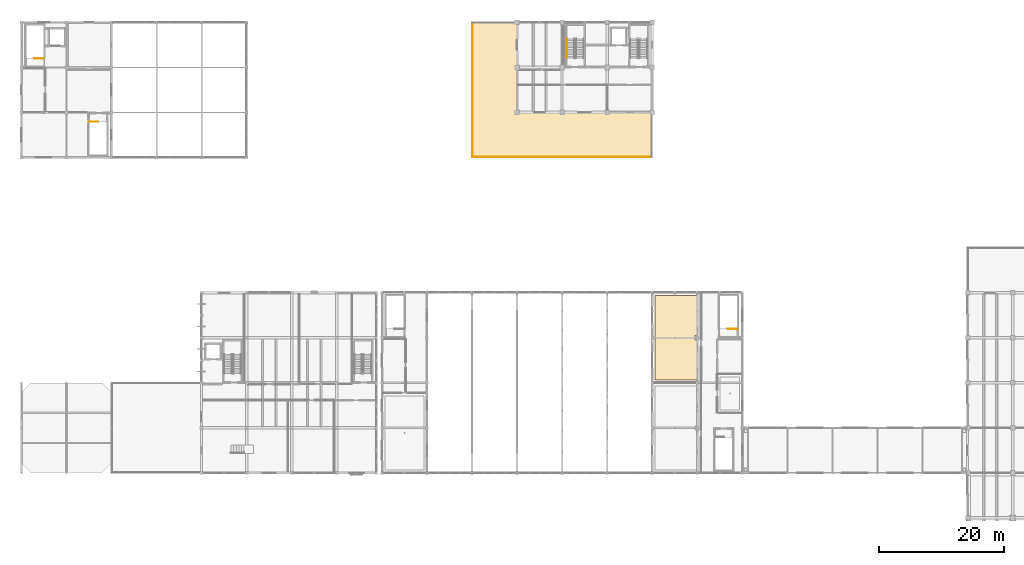
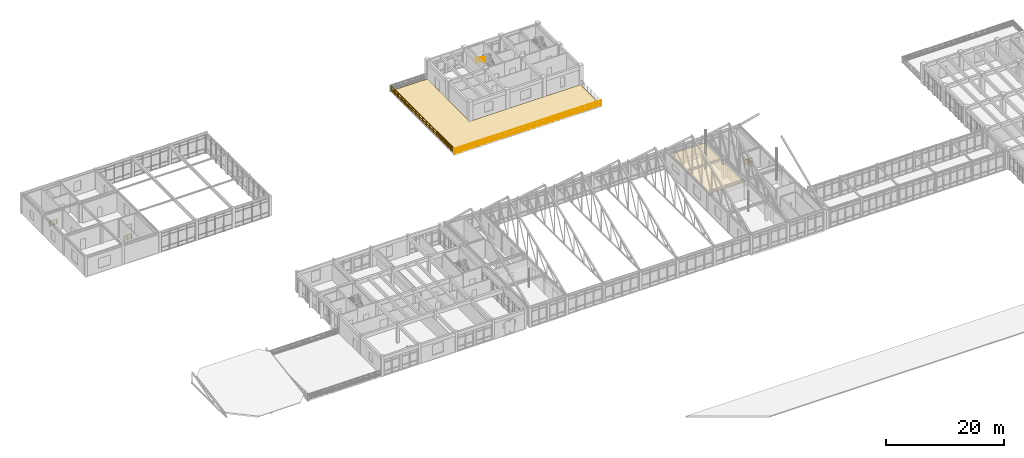
# One storey, part 133 of 136: 6 railings, 2 coverings.
"""IFC4 building model written with IfcOpenShell, lengths in metres."""

import ifcopenshell
import ifcopenshell.guid

model = None  # the IFC model being written
_history = None  # IfcOwnerHistory: only IFC2X3 demands one
_inside = {}  # id of a spatial element -> (the spatial element, [elements in it])
_under = {}  # id of a project, library or spatial element -> (it, [spatial elements below it])
_declared = {}  # id of a project -> (the project, [libraries it declares])
_typed = {}  # id of a type object -> (the type object, [elements of that type])
_made_of = {}  # id of a material, layer set ... -> (it, [elements and type objects made of it])


def new_model(schema):
    """Start an empty IFC model of exactly this schema.

    Asked for "IFC4X3", IfcOpenShell would pick the latest addendum, in which some entities
    have other attributes; the version numbers below select the first issue.
    IFC2X3 requires an IfcOwnerHistory on every rooted entity: one is made here for all.
    """
    global model, _history
    if schema == "IFC4X3":
        model = ifcopenshell.file(schema_version=(4, 3, 0, 0))
    else:
        model = ifcopenshell.file(schema=schema)
    _inside.clear()
    _under.clear()
    _declared.clear()
    _typed.clear()
    _made_of.clear()
    _history = None
    if model.schema == "IFC2X3":
        org = make("IfcOrganization", Name="unknown")
        user = make(
            "IfcPersonAndOrganization",
            ThePerson=make("IfcPerson", FamilyName="unknown"),
            TheOrganization=org,
        )
        app = make(
            "IfcApplication",
            ApplicationDeveloper=org,
            Version="unknown",
            ApplicationFullName="unknown",
            ApplicationIdentifier="unknown",
        )
        _history = make(
            "IfcOwnerHistory",
            OwningUser=user,
            OwningApplication=app,
            ChangeAction="ADDED",
            CreationDate=0,
        )
    return model


def make(cls, **values):
    """One entity of the class cls with the attributes given. An attribute that is None is left unset."""
    return model.create_entity(
        cls, **{name: value for name, value in values.items() if value is not None}
    )


def rooted(cls, **values):
    """An entity with a GlobalId (a new one), such as an element, a storey or a relation."""
    return make(cls, GlobalId=ifcopenshell.guid.new(), OwnerHistory=_history, **values)


def si_unit(unit_type, name, prefix=None):
    """IfcSIUnit, for example si_unit("LENGTHUNIT", "METRE", prefix="MILLI")."""
    return make("IfcSIUnit", UnitType=unit_type, Prefix=prefix, Name=name)


def assignment(units):
    """IfcUnitAssignment: the units of a project."""
    return None if units is None else make("IfcUnitAssignment", Units=units)


def point(xyz):
    """IfcCartesianPoint."""
    return None if xyz is None else make("IfcCartesianPoint", Coordinates=xyz)


def direction(xyz):
    """IfcDirection."""
    return None if xyz is None else make("IfcDirection", DirectionRatios=xyz)


def frame(location, z_axis=None, x_axis=None):
    """IfcAxis2Placement3D, a coordinate frame: its origin and axes. An axis left out is left unset."""
    return make(
        "IfcAxis2Placement3D",
        Location=point(location),
        Axis=direction(z_axis),
        RefDirection=direction(x_axis),
    )


def frame_2d(location, x_axis=None):
    """IfcAxis2Placement2D, a coordinate frame in the plane: its origin and x axis."""
    return make(
        "IfcAxis2Placement2D", Location=point(location), RefDirection=direction(x_axis)
    )


def origin():
    """The frame at (0, 0, 0) with its axes left unset."""
    return frame((0.0, 0.0, 0.0))


def origin_2d():
    """The frame at (0, 0) in the plane with its x axis left unset."""
    return frame_2d((0.0, 0.0))


def place(relative_to, where):
    """IfcLocalPlacement: puts the frame where relative to a parent placement (None: the world)."""
    return make(
        "IfcLocalPlacement", PlacementRelTo=relative_to, RelativePlacement=where
    )


def context(
    kind, dimensions, precision=None, world=None, true_north=None, identifier=None
):
    """IfcGeometricRepresentationContext, for example the 3D "Model" context."""
    return make(
        "IfcGeometricRepresentationContext",
        ContextIdentifier=identifier,
        ContextType=kind,
        CoordinateSpaceDimension=dimensions,
        Precision=precision,
        WorldCoordinateSystem=world,
        TrueNorth=true_north,
    )


def subcontext(parent, identifier, kind, view, scale=None):
    """IfcGeometricRepresentationSubContext, for example "Body" below "Model"."""
    return make(
        "IfcGeometricRepresentationSubContext",
        ContextIdentifier=identifier,
        ContextType=kind,
        ParentContext=parent,
        TargetScale=scale,
        TargetView=view,
    )


def project(units=None, contexts=None):
    """IfcProject with its units and contexts."""
    return rooted(
        "IfcProject",
        Name="project",
        RepresentationContexts=contexts,
        UnitsInContext=assignment(units),
    )


def spatial(cls, under=None, at=None, **own):
    """A site, building, storey or space (cls), placed at a placement, below another one or the project."""
    s = rooted(cls, ObjectPlacement=at, **own)
    if under is not None:
        _under.setdefault(under.id(), (under, []))[1].append(s)
    return s


def polyline(points):
    """IfcPolyline through the points."""
    return make("IfcPolyline", Points=[point(p) for p in points])


def profile(cls, at=None, kind="AREA", **sizes):
    """A parametric profile (cls). Its sizes go by their IFC names, for example OverallWidth=200.0."""
    return make(cls, ProfileType=kind, Position=at, **sizes)


def circle(**sizes):
    """IfcCircleProfileDef."""
    return profile("IfcCircleProfileDef", **sizes)


def outline(outer, holes=None, kind="AREA"):
    """IfcArbitraryClosedProfileDef: a profile drawn as a closed curve; with holes, ...WithVoids."""
    if holes is None:
        return make("IfcArbitraryClosedProfileDef", ProfileType=kind, OuterCurve=outer)
    return make(
        "IfcArbitraryProfileDefWithVoids",
        ProfileType=kind,
        OuterCurve=outer,
        InnerCurves=holes,
    )


def extrude(swept, where, along, depth):
    """IfcExtrudedAreaSolid: the profile swept, set in the frame where, extruded along a direction by depth."""
    return make(
        "IfcExtrudedAreaSolid",
        SweptArea=swept,
        Position=where,
        ExtrudedDirection=direction(along),
        Depth=depth,
    )


def shape(context_of_items, identifier, shape_type, items):
    """IfcShapeRepresentation: the items that make up one representation, for example the "Body"."""
    return make(
        "IfcShapeRepresentation",
        ContextOfItems=context_of_items,
        RepresentationIdentifier=identifier,
        RepresentationType=shape_type,
        Items=items,
    )


def material(Name=None, Category=None):
    """IfcMaterial."""
    return make("IfcMaterial", Name=Name, Category=Category)


def layer(
    of_material, thickness, ventilated=None, Name=None, Category=None, Priority=None
):
    """IfcMaterialLayer: one layer of a wall or slab, of a material (None: an air gap)."""
    return make(
        "IfcMaterialLayer",
        Material=of_material,
        LayerThickness=thickness,
        IsVentilated=ventilated,
        Name=Name,
        Category=Category,
        Priority=Priority,
    )


def layer_set(layers, Name=None):
    """IfcMaterialLayerSet."""
    return make("IfcMaterialLayerSet", MaterialLayers=layers, LayerSetName=Name)


def made_of(thing, what):
    """Note that an element or type object is made of a material, layer set ...; save() writes the relation."""
    if what is not None:
        _made_of.setdefault(what.id(), (what, []))[1].append(thing)
    return thing


def type_object(cls, material=None, **own):
    """A type object (cls), such as IfcWallType, which elements share."""
    return made_of(rooted(cls, **own), material)


def element(
    cls,
    number,
    at=None,
    inside=None,
    cuts=None,
    type_object=None,
    material=None,
    context=None,
    identifier="Body",
    shape_type=None,
    held_by="IfcProductDefinitionShape",
    body=None,
    shapes=None,
    **own,
):
    """One element of the class cls, such as IfcWall. Its Tag is "e" and its number.

    at: its placement. inside: the storey or other place that contains it. cuts: it is an
    opening in that element (IfcRelVoidsElement). A single representation is given by context,
    identifier, shape_type and body (its items); several are given by shapes. held_by: the class
    of the entity that holds the representations. save() writes the other relations.
    """
    e = rooted(cls, Tag="e%d" % number, ObjectPlacement=at, **own)
    if body is not None:
        shapes = [shape(context, identifier, shape_type, body)]
    if shapes is not None:
        e.Representation = make(held_by, Representations=shapes)
    if inside is not None:
        _inside.setdefault(inside.id(), (inside, []))[1].append(e)
    if cuts is not None:
        rooted(
            "IfcRelVoidsElement", RelatingBuildingElement=cuts, RelatedOpeningElement=e
        )
    if type_object is not None:
        _typed.setdefault(type_object.id(), (type_object, []))[1].append(e)
    return made_of(e, material)


def aggregate(whole, parts):
    """IfcRelAggregates: a whole, such as a stair, and the parts it consists of."""
    return rooted("IfcRelAggregates", RelatingObject=whole, RelatedObjects=parts)


def save(model, path):
    """Write the relations noted so far, then the file.

    IfcRelAggregates (storeys below a building ...), IfcRelContainedInSpatialStructure (elements
    in a storey), IfcRelDefinesByType, IfcRelAssociatesMaterial and IfcRelDeclares: one each for
    every whole, place, type object, material and project.
    """
    for whole, parts in _under.values():
        aggregate(whole, parts)
    for where, things in _inside.values():
        rooted(
            "IfcRelContainedInSpatialStructure",
            RelatedElements=things,
            RelatingStructure=where,
        )
    for kind, things in _typed.values():
        rooted("IfcRelDefinesByType", RelatedObjects=things, RelatingType=kind)
    for what, things in _made_of.values():
        rooted("IfcRelAssociatesMaterial", RelatedObjects=things, RelatingMaterial=what)
    for by, libraries in _declared.values():
        rooted("IfcRelDeclares", RelatingContext=by, RelatedDefinitions=libraries)
    model.write(path)


model = new_model("IFC4")

# Units and contexts
model_context = context("Model", 3, precision=1e-05, world=origin(), true_north=direction((0.0, 1.0)))
body_context = subcontext(model_context, "Body", "Model", "MODEL_VIEW")
ifc_project = project(units=[si_unit("LENGTHUNIT", "METRE"), si_unit("AREAUNIT", "SQUARE_METRE"), si_unit("VOLUMEUNIT", "CUBIC_METRE"), si_unit("PLANEANGLEUNIT", "RADIAN"), si_unit("MASSUNIT", "GRAM", prefix="KILO")], contexts=[model_context])

# Site, building, storey
site_placement = place(None, origin())
site = spatial("IfcSite", under=ifc_project, at=site_placement, CompositionType="ELEMENT")
building_placement = place(site_placement, origin())
building = spatial("IfcBuilding", under=site, at=building_placement, Name="Koriwan Promenade Central Fire Station", CompositionType="ELEMENT")
storey_placement = place(building_placement, frame((0.0, 0.0, 5.39990234375)))
storey = spatial("IfcBuildingStorey", under=building, at=storey_placement, Name="L01", CompositionType="ELEMENT", Elevation=5.39990234375)

# Coverings
ifc_material_1 = material(Name="Mineral-fibre acoustic ceiling tile on suspended grid", Category="ceiling")
ifc_layer_1 = layer(ifc_material_1, 0.02490234375, Name="Mineral-fibre acoustic ceiling tile on suspended grid")
ifc_layer_set_1 = layer_set([ifc_layer_1], Name="Mineral-fibre acoustic ceiling tile on suspended grid")
covering_type_1 = type_object("IfcCoveringType", Name="AcousticCeiling_Tile", PredefinedType="CEILING", material=ifc_layer_set_1)
covering_1_placement = place(storey_placement, frame((0.0, 0.0, 3.080078125)))
element("IfcCovering", 1, at=covering_1_placement, inside=storey, type_object=covering_type_1, Name="Hazmat Telemetry Classroom suspended acoustic ceiling", PredefinedType="CEILING", context=body_context, shape_type="SweptSolid", body=[
    extrude(outline(polyline([(108.1298828125, 71.530029296875), (108.1298828125, 65.125), (107.675048828125, 65.125), (107.675048828125, 64.47509765625), (108.1298828125, 64.47509765625), (108.1298828125, 58.070068359375), (101.27001953125, 58.070068359375), (101.27001953125, 71.530029296875), (108.1298828125, 71.530029296875)])), origin(), (0.0, 0.0, 1.0), 0.02490234375),
])
ifc_material_2 = material(Name="Waterproofed xerophytic roof-garden drainage build-up", Category="membrane")
ifc_layer_2 = layer(ifc_material_2, 0.06005859375, Name="Waterproofed xerophytic roof-garden drainage build-up")
ifc_layer_set_2 = layer_set([ifc_layer_2], Name="Waterproofed xerophytic roof-garden drainage build-up")
covering_type_2 = type_object("IfcCoveringType", Name="RoofCovering_Garden", PredefinedType="ROOFING", material=ifc_layer_set_2)
covering_2_placement = place(storey_placement, origin())
element("IfcCovering", 2, at=covering_2_placement, inside=storey, type_object=covering_type_2, Name="Drill Yard Training Deck waterproofed garden build-up", PredefinedType="ROOFING", context=body_context, shape_type="SweptSolid", body=[
    extrude(outline(polyline([(100.679931640625, 100.679931640625), (100.679931640625, 93.719970703125), (72.1201171875, 93.719970703125), (72.1201171875, 115.080078125), (79.080078125, 115.080078125), (79.080078125, 100.679931640625), (100.679931640625, 100.679931640625)])), origin(), (0.0, 0.0, 1.0), 0.06005859375),
])

# Railings
ifc_material_3 = material(Name="Steel ASTM A500 Grade C", Category="steel")
ifc_layer_3 = layer(ifc_material_3, 0.050048828125, Name="Steel ASTM A500 Grade C")
ifc_layer_set_3 = layer_set([ifc_layer_3], Name="Steel ASTM A500 Grade C")
railing_type_1 = type_object("IfcRailingType", Name="StairGuard_1100", PredefinedType="BALUSTRADE", material=ifc_layer_set_3)
railing_1_placement = place(storey_placement, frame((114.35009765625, 66.219970703125, 0.0)))
element("IfcRailing", 3, at=railing_1_placement, inside=storey, type_object=railing_type_1, Name="L01 ST02 top well guard 1", PredefinedType="BALUSTRADE", context=body_context, shape_type="SweptSolid", body=[
    extrude(circle(Radius=0.02392578125, at=origin_2d()), frame((0.0, 0.0, 1.076171875), z_axis=(-1.0, 0.0, 0.0), x_axis=(0.0, -1.0, 0.0)), (0.0, 0.0, 1.0), 1.47021484375),
    extrude(circle(Radius=0.012939453125, at=origin_2d()), frame((0.0, 0.0, 0.572021484375), z_axis=(-1.0, 0.0, 0.0), x_axis=(0.0, -1.0, 0.0)), (0.0, 0.0, 1.0), 1.47021484375),
    extrude(circle(Radius=0.012939453125, at=origin_2d()), frame((0.0, 0.0, 0.154052734375), z_axis=(-1.0, 0.0, 0.0), x_axis=(0.0, -1.0, 0.0)), (0.0, 0.0, 1.0), 1.47021484375),
    extrude(circle(Radius=0.02099609375, at=origin_2d()), origin(), (0.0, 0.0, 1.0), 1.052001953125),
    extrude(circle(Radius=0.02099609375, at=origin_2d()), frame((-0.735107421875, 0.0, 0.0)), (0.0, 0.0, 1.0), 1.052001953125),
    extrude(circle(Radius=0.02099609375, at=origin_2d()), frame((-1.47021484375, 0.0, 0.0)), (0.0, 0.0, 1.0), 1.052001953125),
])
railing_2_placement = place(storey_placement, frame((3.550048828125, 109.419921875, 0.0)))
element("IfcRailing", 4, at=railing_2_placement, inside=storey, type_object=railing_type_1, Name="L01 ST32 top well guard 1", PredefinedType="BALUSTRADE", context=body_context, shape_type="SweptSolid", body=[
    extrude(circle(Radius=0.02392578125, at=origin_2d()), frame((0.0, 0.0, 1.076171875), z_axis=(-1.0, 0.0, 0.0), x_axis=(0.0, -1.0, 0.0)), (0.0, 0.0, 1.0), 1.469970703125),
    extrude(circle(Radius=0.012939453125, at=origin_2d()), frame((0.0, 0.0, 0.572021484375), z_axis=(-1.0, 0.0, 0.0), x_axis=(0.0, -1.0, 0.0)), (0.0, 0.0, 1.0), 1.469970703125),
    extrude(circle(Radius=0.012939453125, at=origin_2d()), frame((0.0, 0.0, 0.154052734375), z_axis=(-1.0, 0.0, 0.0), x_axis=(0.0, -1.0, 0.0)), (0.0, 0.0, 1.0), 1.469970703125),
    extrude(circle(Radius=0.02099609375, at=origin_2d()), origin(), (0.0, 0.0, 1.0), 1.052001953125),
    extrude(circle(Radius=0.02099609375, at=origin_2d()), frame((-0.73486328125, 0.0, 0.0)), (0.0, 0.0, 1.0), 1.052001953125),
    extrude(circle(Radius=0.02099609375, at=origin_2d()), frame((-1.469970703125, 0.0, 0.0)), (0.0, 0.0, 1.0), 1.052001953125),
])
railing_3_placement = place(storey_placement, frame((10.81005859375, 99.330078125, 0.0)))
element("IfcRailing", 5, at=railing_3_placement, inside=storey, type_object=railing_type_1, Name="L01 ST33 top well guard 1", PredefinedType="BALUSTRADE", context=body_context, shape_type="SweptSolid", body=[
    extrude(circle(Radius=0.02392578125, at=origin_2d()), frame((0.0, 0.0, 1.076171875), z_axis=(1.0, 0.0, 0.0), x_axis=(0.0, 1.0, 0.0)), (0.0, 0.0, 1.0), 1.469970703125),
    extrude(circle(Radius=0.012939453125, at=origin_2d()), frame((0.0, 0.0, 0.572021484375), z_axis=(1.0, 0.0, 0.0), x_axis=(0.0, 1.0, 0.0)), (0.0, 0.0, 1.0), 1.469970703125),
    extrude(circle(Radius=0.012939453125, at=origin_2d()), frame((0.0, 0.0, 0.154052734375), z_axis=(1.0, 0.0, 0.0), x_axis=(0.0, 1.0, 0.0)), (0.0, 0.0, 1.0), 1.469970703125),
    extrude(circle(Radius=0.02099609375, at=origin_2d()), origin(), (0.0, 0.0, 1.0), 1.052001953125),
    extrude(circle(Radius=0.02099609375, at=origin_2d()), frame((0.73486328125, 0.0, 0.0)), (0.0, 0.0, 1.0), 1.052001953125),
    extrude(circle(Radius=0.02099609375, at=origin_2d()), frame((1.469970703125, 0.0, 0.0)), (0.0, 0.0, 1.0), 1.052001953125),
])
ifc_material_4 = material(Name="Stainless steel 316 tubular handrail", Category="steel")
ifc_layer_4 = layer(ifc_material_4, 0.048095703125, Name="Stainless steel 316 tubular handrail")
ifc_layer_set_4 = layer_set([ifc_layer_4], Name="Stainless steel 316 tubular handrail")
railing_type_2 = type_object("IfcRailingType", Name="StairHandrail_900", PredefinedType="HANDRAIL", material=ifc_layer_set_4)
railing_4_placement = place(storey_placement, frame((87.159912109375, 112.550048828125, 2.275146484375)))
element("IfcRailing", 6, at=railing_4_placement, inside=storey, type_object=railing_type_2, Name="L01 ST09 stair handrail 2", PredefinedType="HANDRAIL", context=body_context, shape_type="SweptSolid", body=[
    extrude(circle(Radius=0.02392578125, at=origin_2d()), frame((0.0, 0.0, 0.8759765625), z_axis=(0.0, -0.847998304005, 0.529998940003), x_axis=(1.0, 0.0, 0.0)), (0.0, 0.0, 1.0), 3.632080078125),
    extrude(circle(Radius=0.02099609375, at=origin_2d()), origin(), (0.0, 0.0, 1.0), 0.851806640625),
    extrude(circle(Radius=0.02099609375, at=origin_2d()), frame((0.0, -0.77001953125, 0.481201171875)), (0.0, 0.0, 1.0), 0.851806640625),
    extrude(circle(Radius=0.02099609375, at=origin_2d()), frame((0.0, -1.5400390625, 0.96240234375)), (0.0, 0.0, 1.0), 0.851806640625),
    extrude(circle(Radius=0.02099609375, at=origin_2d()), frame((0.0, -2.31005859375, 1.44384765625)), (0.0, 0.0, 1.0), 0.851806640625),
    extrude(circle(Radius=0.02099609375, at=origin_2d()), frame((0.0, -3.080078125, 1.925048828125)), (0.0, 0.0, 1.0), 0.851806640625),
])
ifc_layer_5 = layer(ifc_material_3, 0.06005859375, Name="Steel ASTM A500 Grade C")
ifc_layer_set_5 = layer_set([ifc_layer_5], Name="Steel ASTM A500 Grade C")
railing_type_3 = type_object("IfcRailingType", Name="TerraceGuard_1100", PredefinedType="BALUSTRADE", material=ifc_layer_set_5)
railing_5_placement = place(storey_placement, frame((100.739990234375, 93.659912109375, 0.0)))
element("IfcRailing", 7, at=railing_5_placement, inside=storey, type_object=railing_type_3, Name="Drill Yard Training Deck protective balustrade 002", PredefinedType="BALUSTRADE", context=body_context, shape_type="SweptSolid", body=[
    extrude(circle(Radius=0.02392578125, at=origin_2d()), frame((0.0, 0.0, 1.076171875), z_axis=(-1.0, 0.0, 0.0), x_axis=(0.0, -1.0, 0.0)), (0.0, 0.0, 1.0), 28.679931640625),
    extrude(circle(Radius=0.012939453125, at=origin_2d()), frame((0.0, 0.0, 0.572021484375), z_axis=(-1.0, 0.0, 0.0), x_axis=(0.0, -1.0, 0.0)), (0.0, 0.0, 1.0), 28.679931640625),
    extrude(circle(Radius=0.012939453125, at=origin_2d()), frame((0.0, 0.0, 0.154052734375), z_axis=(-1.0, 0.0, 0.0), x_axis=(0.0, -1.0, 0.0)), (0.0, 0.0, 1.0), 28.679931640625),
    extrude(circle(Radius=0.02099609375, at=origin_2d()), origin(), (0.0, 0.0, 1.0), 1.052001953125),
    extrude(circle(Radius=0.02099609375, at=origin_2d()), frame((-1.195068359375, 0.0, 0.0)), (0.0, 0.0, 1.0), 1.052001953125),
    extrude(circle(Radius=0.02099609375, at=origin_2d()), frame((-2.389892578125, 0.0, 0.0)), (0.0, 0.0, 1.0), 1.052001953125),
    extrude(circle(Radius=0.02099609375, at=origin_2d()), frame((-3.5849609375, 0.0, 0.0)), (0.0, 0.0, 1.0), 1.052001953125),
    extrude(circle(Radius=0.02099609375, at=origin_2d()), frame((-4.780029296875, 0.0, 0.0)), (0.0, 0.0, 1.0), 1.052001953125),
    extrude(circle(Radius=0.02099609375, at=origin_2d()), frame((-5.97509765625, 0.0, 0.0)), (0.0, 0.0, 1.0), 1.052001953125),
    extrude(circle(Radius=0.02099609375, at=origin_2d()), frame((-7.169921875, 0.0, 0.0)), (0.0, 0.0, 1.0), 1.052001953125),
    extrude(circle(Radius=0.02099609375, at=origin_2d()), frame((-8.364990234375, 0.0, 0.0)), (0.0, 0.0, 1.0), 1.052001953125),
    extrude(circle(Radius=0.02099609375, at=origin_2d()), frame((-9.56005859375, 0.0, 0.0)), (0.0, 0.0, 1.0), 1.052001953125),
    extrude(circle(Radius=0.02099609375, at=origin_2d()), frame((-10.7548828125, 0.0, 0.0)), (0.0, 0.0, 1.0), 1.052001953125),
    extrude(circle(Radius=0.02099609375, at=origin_2d()), frame((-11.949951171875, 0.0, 0.0)), (0.0, 0.0, 1.0), 1.052001953125),
    extrude(circle(Radius=0.02099609375, at=origin_2d()), frame((-13.14501953125, 0.0, 0.0)), (0.0, 0.0, 1.0), 1.052001953125),
    extrude(circle(Radius=0.02099609375, at=origin_2d()), frame((-14.33984375, 0.0, 0.0)), (0.0, 0.0, 1.0), 1.052001953125),
    extrude(circle(Radius=0.02099609375, at=origin_2d()), frame((-15.534912109375, 0.0, 0.0)), (0.0, 0.0, 1.0), 1.052001953125),
    extrude(circle(Radius=0.02099609375, at=origin_2d()), frame((-16.72998046875, 0.0, 0.0)), (0.0, 0.0, 1.0), 1.052001953125),
    extrude(circle(Radius=0.02099609375, at=origin_2d()), frame((-17.925048828125, 0.0, 0.0)), (0.0, 0.0, 1.0), 1.052001953125),
    extrude(circle(Radius=0.02099609375, at=origin_2d()), frame((-19.119873046875, 0.0, 0.0)), (0.0, 0.0, 1.0), 1.052001953125),
    extrude(circle(Radius=0.02099609375, at=origin_2d()), frame((-20.31494140625, 0.0, 0.0)), (0.0, 0.0, 1.0), 1.052001953125),
    extrude(circle(Radius=0.02099609375, at=origin_2d()), frame((-21.510009765625, 0.0, 0.0)), (0.0, 0.0, 1.0), 1.052001953125),
    extrude(circle(Radius=0.02099609375, at=origin_2d()), frame((-22.704833984375, 0.0, 0.0)), (0.0, 0.0, 1.0), 1.052001953125),
    extrude(circle(Radius=0.02099609375, at=origin_2d()), frame((-23.89990234375, 0.0, 0.0)), (0.0, 0.0, 1.0), 1.052001953125),
    extrude(circle(Radius=0.02099609375, at=origin_2d()), frame((-25.094970703125, 0.0, 0.0)), (0.0, 0.0, 1.0), 1.052001953125),
    extrude(circle(Radius=0.02099609375, at=origin_2d()), frame((-26.2900390625, 0.0, 0.0)), (0.0, 0.0, 1.0), 1.052001953125),
    extrude(circle(Radius=0.02099609375, at=origin_2d()), frame((-27.48486328125, 0.0, 0.0)), (0.0, 0.0, 1.0), 1.052001953125),
    extrude(circle(Radius=0.02099609375, at=origin_2d()), frame((-28.679931640625, 0.0, 0.0)), (0.0, 0.0, 1.0), 1.052001953125),
])
railing_6_placement = place(storey_placement, frame((72.06005859375, 93.659912109375, 0.0)))
element("IfcRailing", 8, at=railing_6_placement, inside=storey, type_object=railing_type_3, Name="Drill Yard Training Deck protective balustrade 003", PredefinedType="BALUSTRADE", context=body_context, shape_type="SweptSolid", body=[
    extrude(circle(Radius=0.02392578125, at=origin_2d()), frame((0.0, 0.0, 1.076171875), z_axis=(0.0, 1.0, 0.0), x_axis=(-1.0, 0.0, 0.0)), (0.0, 0.0, 1.0), 21.47998046875),
    extrude(circle(Radius=0.012939453125, at=origin_2d()), frame((0.0, 0.0, 0.572021484375), z_axis=(0.0, 1.0, 0.0), x_axis=(-1.0, 0.0, 0.0)), (0.0, 0.0, 1.0), 21.47998046875),
    extrude(circle(Radius=0.012939453125, at=origin_2d()), frame((0.0, 0.0, 0.154052734375), z_axis=(0.0, 1.0, 0.0), x_axis=(-1.0, 0.0, 0.0)), (0.0, 0.0, 1.0), 21.47998046875),
    extrude(circle(Radius=0.02099609375, at=origin_2d()), origin(), (0.0, 0.0, 1.0), 1.052001953125),
    extrude(circle(Radius=0.02099609375, at=origin_2d()), frame((0.0, 1.193359375, 0.0)), (0.0, 0.0, 1.0), 1.052001953125),
    extrude(circle(Radius=0.02099609375, at=origin_2d()), frame((0.0, 2.38671875, 0.0)), (0.0, 0.0, 1.0), 1.052001953125),
    extrude(circle(Radius=0.02099609375, at=origin_2d()), frame((0.0, 3.580078125, 0.0)), (0.0, 0.0, 1.0), 1.052001953125),
    extrude(circle(Radius=0.02099609375, at=origin_2d()), frame((0.0, 4.7734375, 0.0)), (0.0, 0.0, 1.0), 1.052001953125),
    extrude(circle(Radius=0.02099609375, at=origin_2d()), frame((0.0, 5.966552734375, 0.0)), (0.0, 0.0, 1.0), 1.052001953125),
    extrude(circle(Radius=0.02099609375, at=origin_2d()), frame((0.0, 7.159912109375, 0.0)), (0.0, 0.0, 1.0), 1.052001953125),
    extrude(circle(Radius=0.02099609375, at=origin_2d()), frame((0.0, 8.353271484375, 0.0)), (0.0, 0.0, 1.0), 1.052001953125),
    extrude(circle(Radius=0.02099609375, at=origin_2d()), frame((0.0, 9.546630859375, 0.0)), (0.0, 0.0, 1.0), 1.052001953125),
    extrude(circle(Radius=0.02099609375, at=origin_2d()), frame((0.0, 10.739990234375, 0.0)), (0.0, 0.0, 1.0), 1.052001953125),
    extrude(circle(Radius=0.02099609375, at=origin_2d()), frame((0.0, 11.933349609375, 0.0)), (0.0, 0.0, 1.0), 1.052001953125),
    extrude(circle(Radius=0.02099609375, at=origin_2d()), frame((0.0, 13.126708984375, 0.0)), (0.0, 0.0, 1.0), 1.052001953125),
    extrude(circle(Radius=0.02099609375, at=origin_2d()), frame((0.0, 14.320068359375, 0.0)), (0.0, 0.0, 1.0), 1.052001953125),
    extrude(circle(Radius=0.02099609375, at=origin_2d()), frame((0.0, 15.513427734375, 0.0)), (0.0, 0.0, 1.0), 1.052001953125),
    extrude(circle(Radius=0.02099609375, at=origin_2d()), frame((0.0, 16.70654296875, 0.0)), (0.0, 0.0, 1.0), 1.052001953125),
    extrude(circle(Radius=0.02099609375, at=origin_2d()), frame((0.0, 17.89990234375, 0.0)), (0.0, 0.0, 1.0), 1.052001953125),
    extrude(circle(Radius=0.02099609375, at=origin_2d()), frame((0.0, 19.09326171875, 0.0)), (0.0, 0.0, 1.0), 1.052001953125),
    extrude(circle(Radius=0.02099609375, at=origin_2d()), frame((0.0, 20.28662109375, 0.0)), (0.0, 0.0, 1.0), 1.052001953125),
    extrude(circle(Radius=0.02099609375, at=origin_2d()), frame((0.0, 21.47998046875, 0.0)), (0.0, 0.0, 1.0), 1.052001953125),
])

save(model, "model.ifc")
